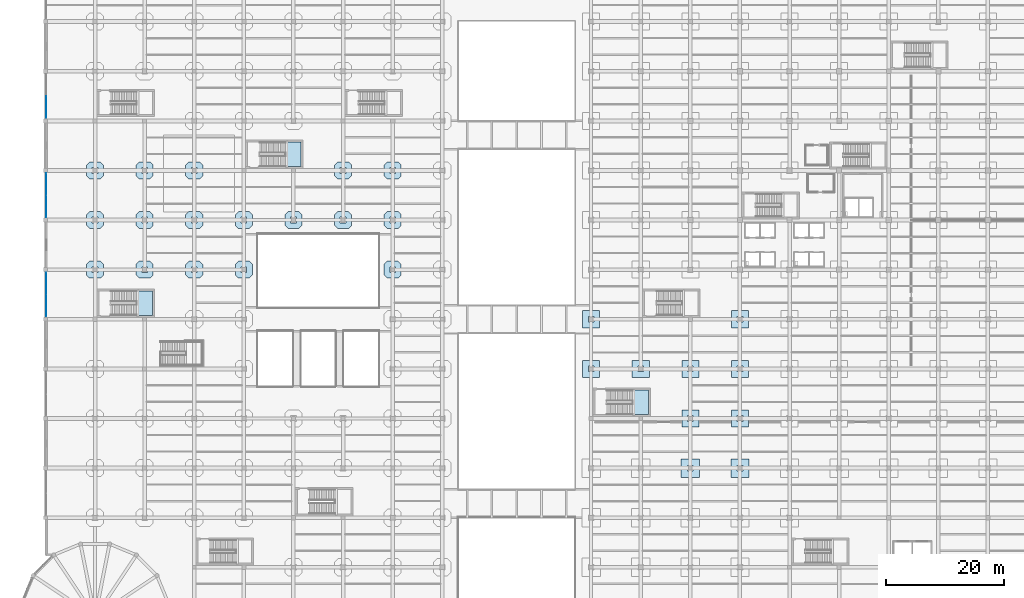
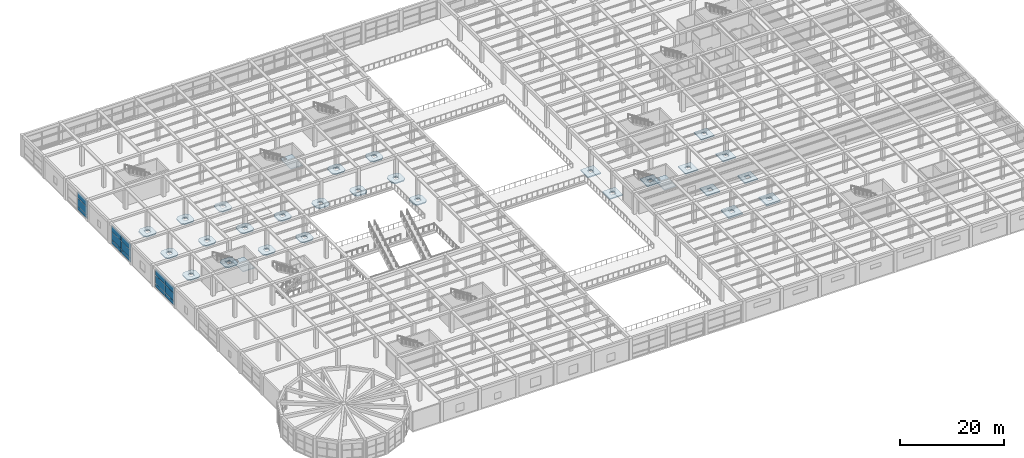
# One storey, part 71 of 96: 30 slabs, 15 plates, 6 elements without a shape of their own.
"""IFC4 building model written with IfcOpenShell, lengths in metres."""

from ifc_helpers import new_model, si_unit, direction, frame, origin, origin_2d, place, context, subcontext, project, spatial, polyline, rectangle, outline, extrude, material, layer, layer_set, type_object, element, aggregate, save


model = new_model("IFC4")

# Units and contexts
model_context = context("Model", 3, precision=1e-05, world=origin(), true_north=direction((0.0, 1.0)))
body_context = subcontext(model_context, "Body", "Model", "MODEL_VIEW")
ifc_project = project(units=[si_unit("LENGTHUNIT", "METRE"), si_unit("AREAUNIT", "SQUARE_METRE"), si_unit("VOLUMEUNIT", "CUBIC_METRE"), si_unit("PLANEANGLEUNIT", "RADIAN"), si_unit("MASSUNIT", "GRAM", prefix="KILO")], contexts=[model_context])

# Site, building, storey
site_placement = place(None, origin())
site = spatial("IfcSite", under=ifc_project, at=site_placement, CompositionType="ELEMENT")
building_placement = place(site_placement, origin())
building = spatial("IfcBuilding", under=site, at=building_placement, Name="Almacenes y Pasaje Nevantli", CompositionType="ELEMENT")
storey_placement = place(building_placement, frame((0.0, 0.0, 6.0)))
storey = spatial("IfcBuildingStorey", under=building, at=storey_placement, Name="L02", CompositionType="ELEMENT", Elevation=6.0)

# Curtain wall, plates
ifc_material_1 = material(Name="Thermally Broken Aluminium and Low-E Glass", Category="aluminium")
curtain_wall_type = type_object("IfcCurtainWallType", Name="CW-UNIT-PODIUM", PredefinedType="USERDEFINED", material=ifc_material_1)
curtain_wall_1_placement = place(storey_placement, origin())
curtain_wall_1 = element("IfcCurtainWall", 1, at=curtain_wall_1_placement, inside=storey, type_object=curtain_wall_type, Name="L02 West Avenue Unitized Curtain Wall Bay 8", ObjectType="UNITIZED CURTAIN WALL", PredefinedType="USERDEFINED")
ifc_material_2 = material(Name="Low-E Double Glazed Insulated Unit", Category="glass")
ifc_layer_1 = layer(ifc_material_2, 0.031982421875)
ifc_layer_set_1 = layer_set([ifc_layer_1], Name="Low-E Double Glazed Insulated Unit")
plate_type = type_object("IfcPlateType", Name="PL-IGU-32", PredefinedType="CURTAIN_PANEL", material=ifc_layer_set_1)
plate_1_placement = place(storey_placement, frame((0.14990234375, 61.138671875, 0.05517578125), z_axis=(0.0, 0.0, 1.0), x_axis=(0.0, 1.0, 0.0)))
plate_1 = element("IfcPlate", 2, at=plate_1_placement, type_object=plate_type, Name="CW-L02-017 panel 1.1", PredefinedType="CURTAIN_PANEL", context=body_context, shape_type="SweptSolid", body=[
    extrude(rectangle(XDim=3.66748046875, YDim=0.031982421875, at=origin_2d()), origin(), (0.0, 0.0, 1.0), 0.867431640625),
])
plate_2_placement = place(storey_placement, frame((0.14990234375, 61.138671875, 0.9775390625), z_axis=(0.0, 0.0, 1.0), x_axis=(0.0, 1.0, 0.0)))
plate_2 = element("IfcPlate", 3, at=plate_2_placement, type_object=plate_type, Name="CW-L02-017 panel 1.2", PredefinedType="CURTAIN_PANEL", context=body_context, shape_type="SweptSolid", body=[
    extrude(rectangle(XDim=3.66748046875, YDim=0.031982421875, at=origin_2d()), origin(), (0.0, 0.0, 1.0), 1.844970703125),
])
plate_3_placement = place(storey_placement, frame((0.14990234375, 61.138671875, 2.87744140625), z_axis=(0.0, 0.0, 1.0), x_axis=(0.0, 1.0, 0.0)))
plate_3 = element("IfcPlate", 4, at=plate_3_placement, type_object=plate_type, Name="CW-L02-017 panel 1.3", PredefinedType="CURTAIN_PANEL", context=body_context, shape_type="SweptSolid", body=[
    extrude(rectangle(XDim=3.66748046875, YDim=0.031982421875, at=origin_2d()), origin(), (0.0, 0.0, 1.0), 1.447509765625),
])
plate_4_placement = place(storey_placement, frame((0.14990234375, 64.861328125, 0.05517578125), z_axis=(0.0, 0.0, 1.0), x_axis=(0.0, 1.0, 0.0)))
plate_4 = element("IfcPlate", 5, at=plate_4_placement, type_object=plate_type, Name="CW-L02-017 panel 2.1", PredefinedType="CURTAIN_PANEL", context=body_context, shape_type="SweptSolid", body=[
    extrude(rectangle(XDim=3.66748046875, YDim=0.031982421875, at=origin_2d()), origin(), (0.0, 0.0, 1.0), 0.867431640625),
])
plate_5_placement = place(storey_placement, frame((0.14990234375, 64.861328125, 0.9775390625), z_axis=(0.0, 0.0, 1.0), x_axis=(0.0, 1.0, 0.0)))
plate_5 = element("IfcPlate", 6, at=plate_5_placement, type_object=plate_type, Name="CW-L02-017 panel 2.2", PredefinedType="CURTAIN_PANEL", context=body_context, shape_type="SweptSolid", body=[
    extrude(rectangle(XDim=3.66748046875, YDim=0.031982421875, at=origin_2d()), origin(), (0.0, 0.0, 1.0), 1.844970703125),
])
plate_6_placement = place(storey_placement, frame((0.14990234375, 64.861328125, 2.87744140625), z_axis=(0.0, 0.0, 1.0), x_axis=(0.0, 1.0, 0.0)))
plate_6 = element("IfcPlate", 7, at=plate_6_placement, type_object=plate_type, Name="CW-L02-017 panel 2.3", PredefinedType="CURTAIN_PANEL", context=body_context, shape_type="SweptSolid", body=[
    extrude(rectangle(XDim=3.66748046875, YDim=0.031982421875, at=origin_2d()), origin(), (0.0, 0.0, 1.0), 1.447509765625),
])
aggregate(curtain_wall_1, [plate_1, plate_2, plate_3, plate_4, plate_5, plate_6])

curtain_wall_2_placement = place(storey_placement, origin())
curtain_wall_2 = element("IfcCurtainWall", 8, at=curtain_wall_2_placement, inside=storey, type_object=curtain_wall_type, Name="L02 West Avenue Unitized Curtain Wall Bay 10", ObjectType="UNITIZED CURTAIN WALL", PredefinedType="USERDEFINED")
plate_7_placement = place(storey_placement, frame((0.14990234375, 77.938720703125, 0.05517578125), z_axis=(0.0, 0.0, 1.0), x_axis=(0.0, 1.0, 0.0)))
plate_7 = element("IfcPlate", 9, at=plate_7_placement, type_object=plate_type, Name="CW-L02-018 panel 1.1", PredefinedType="CURTAIN_PANEL", context=body_context, shape_type="SweptSolid", body=[
    extrude(rectangle(XDim=3.66748046875, YDim=0.031982421875, at=origin_2d()), origin(), (0.0, 0.0, 1.0), 0.867431640625),
])
plate_8_placement = place(storey_placement, frame((0.14990234375, 77.938720703125, 0.9775390625), z_axis=(0.0, 0.0, 1.0), x_axis=(0.0, 1.0, 0.0)))
plate_8 = element("IfcPlate", 10, at=plate_8_placement, type_object=plate_type, Name="CW-L02-018 panel 1.2", PredefinedType="CURTAIN_PANEL", context=body_context, shape_type="SweptSolid", body=[
    extrude(rectangle(XDim=3.66748046875, YDim=0.031982421875, at=origin_2d()), origin(), (0.0, 0.0, 1.0), 1.844970703125),
])
plate_9_placement = place(storey_placement, frame((0.14990234375, 77.938720703125, 2.87744140625), z_axis=(0.0, 0.0, 1.0), x_axis=(0.0, 1.0, 0.0)))
plate_9 = element("IfcPlate", 11, at=plate_9_placement, type_object=plate_type, Name="CW-L02-018 panel 1.3", PredefinedType="CURTAIN_PANEL", context=body_context, shape_type="SweptSolid", body=[
    extrude(rectangle(XDim=3.66748046875, YDim=0.031982421875, at=origin_2d()), origin(), (0.0, 0.0, 1.0), 1.447509765625),
])
plate_10_placement = place(storey_placement, frame((0.14990234375, 81.6611328125, 0.05517578125), z_axis=(0.0, 0.0, 1.0), x_axis=(0.0, 1.0, 0.0)))
plate_10 = element("IfcPlate", 12, at=plate_10_placement, type_object=plate_type, Name="CW-L02-018 panel 2.1", PredefinedType="CURTAIN_PANEL", context=body_context, shape_type="SweptSolid", body=[
    extrude(rectangle(XDim=3.66748046875, YDim=0.031982421875, at=origin_2d()), origin(), (0.0, 0.0, 1.0), 0.867431640625),
])
plate_11_placement = place(storey_placement, frame((0.14990234375, 81.6611328125, 0.9775390625), z_axis=(0.0, 0.0, 1.0), x_axis=(0.0, 1.0, 0.0)))
plate_11 = element("IfcPlate", 13, at=plate_11_placement, type_object=plate_type, Name="CW-L02-018 panel 2.2", PredefinedType="CURTAIN_PANEL", context=body_context, shape_type="SweptSolid", body=[
    extrude(rectangle(XDim=3.66748046875, YDim=0.031982421875, at=origin_2d()), origin(), (0.0, 0.0, 1.0), 1.844970703125),
])
plate_12_placement = place(storey_placement, frame((0.14990234375, 81.6611328125, 2.87744140625), z_axis=(0.0, 0.0, 1.0), x_axis=(0.0, 1.0, 0.0)))
plate_12 = element("IfcPlate", 14, at=plate_12_placement, type_object=plate_type, Name="CW-L02-018 panel 2.3", PredefinedType="CURTAIN_PANEL", context=body_context, shape_type="SweptSolid", body=[
    extrude(rectangle(XDim=3.66748046875, YDim=0.031982421875, at=origin_2d()), origin(), (0.0, 0.0, 1.0), 1.447509765625),
])
aggregate(curtain_wall_2, [plate_7, plate_8, plate_9, plate_10, plate_11, plate_12])

curtain_wall_3_placement = place(storey_placement, origin())
curtain_wall_3 = element("IfcCurtainWall", 15, at=curtain_wall_3_placement, inside=storey, type_object=curtain_wall_type, Name="L02 West Avenue Unitized Curtain Wall Bay 12", ObjectType="UNITIZED CURTAIN WALL", PredefinedType="USERDEFINED")
plate_13_placement = place(storey_placement, frame((0.14990234375, 94.73876953125, 0.05517578125), z_axis=(0.0, 0.0, 1.0), x_axis=(0.0, 1.0, 0.0)))
plate_13 = element("IfcPlate", 16, at=plate_13_placement, type_object=plate_type, Name="CW-L02-019 panel 1.1", PredefinedType="CURTAIN_PANEL", context=body_context, shape_type="SweptSolid", body=[
    extrude(rectangle(XDim=3.66748046875, YDim=0.031982421875, at=origin_2d()), origin(), (0.0, 0.0, 1.0), 0.867431640625),
])
plate_14_placement = place(storey_placement, frame((0.14990234375, 94.73876953125, 0.9775390625), z_axis=(0.0, 0.0, 1.0), x_axis=(0.0, 1.0, 0.0)))
plate_14 = element("IfcPlate", 17, at=plate_14_placement, type_object=plate_type, Name="CW-L02-019 panel 1.2", PredefinedType="CURTAIN_PANEL", context=body_context, shape_type="SweptSolid", body=[
    extrude(rectangle(XDim=3.66748046875, YDim=0.031982421875, at=origin_2d()), origin(), (0.0, 0.0, 1.0), 1.844970703125),
])
plate_15_placement = place(storey_placement, frame((0.14990234375, 94.73876953125, 2.87744140625), z_axis=(0.0, 0.0, 1.0), x_axis=(0.0, 1.0, 0.0)))
plate_15 = element("IfcPlate", 18, at=plate_15_placement, type_object=plate_type, Name="CW-L02-019 panel 1.3", PredefinedType="CURTAIN_PANEL", context=body_context, shape_type="SweptSolid", body=[
    extrude(rectangle(XDim=3.66748046875, YDim=0.031982421875, at=origin_2d()), origin(), (0.0, 0.0, 1.0), 1.447509765625),
])
aggregate(curtain_wall_3, [plate_13, plate_14, plate_15])

# Slabs
ifc_material_3 = material(Name="Concrete C35/45", Category="concrete")
ifc_layer_2 = layer(ifc_material_3, 0.25)
ifc_layer_set_2 = layer_set([ifc_layer_2], Name="Concrete C35/45")
slab_type_1 = type_object("IfcSlabType", Name="SLB-DP-250", PredefinedType="USERDEFINED", material=ifc_layer_set_2)
slab_1_placement = place(storey_placement, frame((0.0, 0.0, -0.550048828125)))
element("IfcSlab", 19, at=slab_1_placement, inside=storey, type_object=slab_type_1, Name="L02 Punching-Shear Drop Panel DP-02 #404", ObjectType="DROP PANEL", PredefinedType="USERDEFINED", context=body_context, shape_type="SweptSolid", body=[
    extrude(outline(polyline([(7.5, 65.75), (9.300048828125, 65.75), (9.85009765625, 66.300048828125), (9.85009765625, 68.10009765625), (9.300048828125, 68.64990234375), (7.5, 68.64990234375), (6.949951171875, 68.10009765625), (6.949951171875, 66.300048828125), (7.5, 65.75)]), holes=[polyline([(7.919921875, 66.719970703125), (8.8798828125, 66.719970703125), (8.8798828125, 67.679931640625), (7.919921875, 67.679931640625), (7.919921875, 66.719970703125)])]), origin(), (0.0, 0.0, 1.0), 0.25),
])
slab_2_placement = place(storey_placement, frame((0.0, 0.0, -0.550048828125)))
element("IfcSlab", 20, at=slab_2_placement, inside=storey, type_object=slab_type_1, Name="L02 Punching-Shear Drop Panel DP-02 #405", ObjectType="DROP PANEL", PredefinedType="USERDEFINED", context=body_context, shape_type="SweptSolid", body=[
    extrude(outline(polyline([(7.5, 74.14990234375), (9.300048828125, 74.14990234375), (9.85009765625, 74.699951171875), (9.85009765625, 76.5), (9.300048828125, 77.050048828125), (7.5, 77.050048828125), (6.949951171875, 76.5), (6.949951171875, 74.699951171875), (7.5, 74.14990234375)]), holes=[polyline([(7.919921875, 75.1201171875), (8.8798828125, 75.1201171875), (8.8798828125, 76.080078125), (7.919921875, 76.080078125), (7.919921875, 75.1201171875)])]), origin(), (0.0, 0.0, 1.0), 0.25),
])
slab_3_placement = place(storey_placement, frame((0.0, 0.0, -0.550048828125)))
element("IfcSlab", 21, at=slab_3_placement, inside=storey, type_object=slab_type_1, Name="L02 Punching-Shear Drop Panel DP-02 #406", ObjectType="DROP PANEL", PredefinedType="USERDEFINED", context=body_context, shape_type="SweptSolid", body=[
    extrude(outline(polyline([(7.5, 82.550048828125), (9.300048828125, 82.550048828125), (9.85009765625, 83.10009765625), (9.85009765625, 84.89990234375), (9.300048828125, 85.449951171875), (7.5, 85.449951171875), (6.949951171875, 84.89990234375), (6.949951171875, 83.10009765625), (7.5, 82.550048828125)]), holes=[polyline([(7.919921875, 83.52001953125), (8.8798828125, 83.52001953125), (8.8798828125, 84.47998046875), (7.919921875, 84.47998046875), (7.919921875, 83.52001953125)])]), origin(), (0.0, 0.0, 1.0), 0.25),
])
slab_4_placement = place(storey_placement, frame((0.0, 0.0, -0.550048828125)))
element("IfcSlab", 22, at=slab_4_placement, inside=storey, type_object=slab_type_1, Name="L02 Punching-Shear Drop Panel DP-02 #412", ObjectType="DROP PANEL", PredefinedType="USERDEFINED", context=body_context, shape_type="SweptSolid", body=[
    extrude(outline(polyline([(15.89990234375, 65.75), (17.699951171875, 65.75), (18.25, 66.300048828125), (18.25, 68.10009765625), (17.699951171875, 68.64990234375), (15.89990234375, 68.64990234375), (15.35009765625, 68.10009765625), (15.35009765625, 66.300048828125), (15.89990234375, 65.75)]), holes=[polyline([(16.320068359375, 66.719970703125), (17.280029296875, 66.719970703125), (17.280029296875, 67.679931640625), (16.320068359375, 67.679931640625), (16.320068359375, 66.719970703125)])]), origin(), (0.0, 0.0, 1.0), 0.25),
])
slab_5_placement = place(storey_placement, frame((0.0, 0.0, -0.550048828125)))
element("IfcSlab", 23, at=slab_5_placement, inside=storey, type_object=slab_type_1, Name="L02 Punching-Shear Drop Panel DP-02 #413", ObjectType="DROP PANEL", PredefinedType="USERDEFINED", context=body_context, shape_type="SweptSolid", body=[
    extrude(outline(polyline([(15.89990234375, 74.14990234375), (17.699951171875, 74.14990234375), (18.25, 74.699951171875), (18.25, 76.5), (17.699951171875, 77.050048828125), (15.89990234375, 77.050048828125), (15.35009765625, 76.5), (15.35009765625, 74.699951171875), (15.89990234375, 74.14990234375)]), holes=[polyline([(16.320068359375, 75.1201171875), (17.280029296875, 75.1201171875), (17.280029296875, 76.080078125), (16.320068359375, 76.080078125), (16.320068359375, 75.1201171875)])]), origin(), (0.0, 0.0, 1.0), 0.25),
])
slab_6_placement = place(storey_placement, frame((0.0, 0.0, -0.550048828125)))
element("IfcSlab", 24, at=slab_6_placement, inside=storey, type_object=slab_type_1, Name="L02 Punching-Shear Drop Panel DP-02 #414", ObjectType="DROP PANEL", PredefinedType="USERDEFINED", context=body_context, shape_type="SweptSolid", body=[
    extrude(outline(polyline([(15.89990234375, 82.550048828125), (17.699951171875, 82.550048828125), (18.25, 83.10009765625), (18.25, 84.89990234375), (17.699951171875, 85.449951171875), (15.89990234375, 85.449951171875), (15.35009765625, 84.89990234375), (15.35009765625, 83.10009765625), (15.89990234375, 82.550048828125)]), holes=[polyline([(16.320068359375, 83.52001953125), (17.280029296875, 83.52001953125), (17.280029296875, 84.47998046875), (16.320068359375, 84.47998046875), (16.320068359375, 83.52001953125)])]), origin(), (0.0, 0.0, 1.0), 0.25),
])
slab_7_placement = place(storey_placement, frame((0.0, 0.0, -0.550048828125)))
element("IfcSlab", 25, at=slab_7_placement, inside=storey, type_object=slab_type_1, Name="L02 Punching-Shear Drop Panel DP-02 #422", ObjectType="DROP PANEL", PredefinedType="USERDEFINED", context=body_context, shape_type="SweptSolid", body=[
    extrude(outline(polyline([(24.300048828125, 65.75), (26.10009765625, 65.75), (26.64990234375, 66.300048828125), (26.64990234375, 68.10009765625), (26.10009765625, 68.64990234375), (24.300048828125, 68.64990234375), (23.75, 68.10009765625), (23.75, 66.300048828125), (24.300048828125, 65.75)]), holes=[polyline([(24.719970703125, 66.719970703125), (25.679931640625, 66.719970703125), (25.679931640625, 67.679931640625), (24.719970703125, 67.679931640625), (24.719970703125, 66.719970703125)])]), origin(), (0.0, 0.0, 1.0), 0.25),
])
slab_8_placement = place(storey_placement, frame((0.0, 0.0, -0.550048828125)))
element("IfcSlab", 26, at=slab_8_placement, inside=storey, type_object=slab_type_1, Name="L02 Punching-Shear Drop Panel DP-02 #423", ObjectType="DROP PANEL", PredefinedType="USERDEFINED", context=body_context, shape_type="SweptSolid", body=[
    extrude(outline(polyline([(24.300048828125, 74.14990234375), (26.10009765625, 74.14990234375), (26.64990234375, 74.699951171875), (26.64990234375, 76.5), (26.10009765625, 77.050048828125), (24.300048828125, 77.050048828125), (23.75, 76.5), (23.75, 74.699951171875), (24.300048828125, 74.14990234375)]), holes=[polyline([(24.719970703125, 75.1201171875), (25.679931640625, 75.1201171875), (25.679931640625, 76.080078125), (24.719970703125, 76.080078125), (24.719970703125, 75.1201171875)])]), origin(), (0.0, 0.0, 1.0), 0.25),
])
slab_9_placement = place(storey_placement, frame((0.0, 0.0, -0.550048828125)))
element("IfcSlab", 27, at=slab_9_placement, inside=storey, type_object=slab_type_1, Name="L02 Punching-Shear Drop Panel DP-02 #424", ObjectType="DROP PANEL", PredefinedType="USERDEFINED", context=body_context, shape_type="SweptSolid", body=[
    extrude(outline(polyline([(24.300048828125, 82.550048828125), (26.10009765625, 82.550048828125), (26.64990234375, 83.10009765625), (26.64990234375, 84.89990234375), (26.10009765625, 85.449951171875), (24.300048828125, 85.449951171875), (23.75, 84.89990234375), (23.75, 83.10009765625), (24.300048828125, 82.550048828125)]), holes=[polyline([(24.719970703125, 83.52001953125), (25.679931640625, 83.52001953125), (25.679931640625, 84.47998046875), (24.719970703125, 84.47998046875), (24.719970703125, 83.52001953125)])]), origin(), (0.0, 0.0, 1.0), 0.25),
])
slab_10_placement = place(storey_placement, frame((0.0, 0.0, -0.550048828125)))
element("IfcSlab", 28, at=slab_10_placement, inside=storey, type_object=slab_type_1, Name="L02 Punching-Shear Drop Panel DP-02 #434", ObjectType="DROP PANEL", PredefinedType="USERDEFINED", context=body_context, shape_type="SweptSolid", body=[
    extrude(outline(polyline([(32.699951171875, 65.75), (34.5, 65.75), (35.050048828125, 66.300048828125), (35.050048828125, 68.10009765625), (34.5, 68.64990234375), (32.699951171875, 68.64990234375), (32.14990234375, 68.10009765625), (32.14990234375, 66.300048828125), (32.699951171875, 65.75)]), holes=[polyline([(33.1201171875, 66.719970703125), (34.080078125, 66.719970703125), (34.080078125, 67.679931640625), (33.1201171875, 67.679931640625), (33.1201171875, 66.719970703125)])]), origin(), (0.0, 0.0, 1.0), 0.25),
])
slab_11_placement = place(storey_placement, frame((0.0, 0.0, -0.550048828125)))
element("IfcSlab", 29, at=slab_11_placement, inside=storey, type_object=slab_type_1, Name="L02 Punching-Shear Drop Panel DP-02 #435", ObjectType="DROP PANEL", PredefinedType="USERDEFINED", context=body_context, shape_type="SweptSolid", body=[
    extrude(outline(polyline([(32.699951171875, 74.14990234375), (34.5, 74.14990234375), (35.050048828125, 74.699951171875), (35.050048828125, 76.5), (34.5, 77.050048828125), (32.699951171875, 77.050048828125), (32.14990234375, 76.5), (32.14990234375, 74.699951171875), (32.699951171875, 74.14990234375)]), holes=[polyline([(33.1201171875, 75.1201171875), (34.080078125, 75.1201171875), (34.080078125, 76.080078125), (33.1201171875, 76.080078125), (33.1201171875, 75.1201171875)])]), origin(), (0.0, 0.0, 1.0), 0.25),
])
slab_12_placement = place(storey_placement, frame((0.0, 0.0, -0.550048828125)))
element("IfcSlab", 30, at=slab_12_placement, inside=storey, type_object=slab_type_1, Name="L02 Punching-Shear Drop Panel DP-02 #443", ObjectType="DROP PANEL", PredefinedType="USERDEFINED", context=body_context, shape_type="SweptSolid", body=[
    extrude(outline(polyline([(41.10009765625, 74.14990234375), (42.89990234375, 74.14990234375), (43.449951171875, 74.699951171875), (43.449951171875, 76.5), (42.89990234375, 77.050048828125), (41.10009765625, 77.050048828125), (40.550048828125, 76.5), (40.550048828125, 74.699951171875), (41.10009765625, 74.14990234375)]), holes=[polyline([(41.52001953125, 75.1201171875), (42.47998046875, 75.1201171875), (42.47998046875, 76.080078125), (41.52001953125, 76.080078125), (41.52001953125, 75.1201171875)])]), origin(), (0.0, 0.0, 1.0), 0.25),
])
slab_13_placement = place(storey_placement, frame((0.0, 0.0, -0.550048828125)))
element("IfcSlab", 31, at=slab_13_placement, inside=storey, type_object=slab_type_1, Name="L02 Punching-Shear Drop Panel DP-02 #451", ObjectType="DROP PANEL", PredefinedType="USERDEFINED", context=body_context, shape_type="SweptSolid", body=[
    extrude(outline(polyline([(49.5, 74.14990234375), (51.300048828125, 74.14990234375), (51.85009765625, 74.699951171875), (51.85009765625, 76.5), (51.300048828125, 77.050048828125), (49.5, 77.050048828125), (48.949951171875, 76.5), (48.949951171875, 74.699951171875), (49.5, 74.14990234375)]), holes=[polyline([(49.919921875, 75.1201171875), (50.8798828125, 75.1201171875), (50.8798828125, 76.080078125), (49.919921875, 76.080078125), (49.919921875, 75.1201171875)])]), origin(), (0.0, 0.0, 1.0), 0.25),
])
slab_14_placement = place(storey_placement, frame((0.0, 0.0, -0.550048828125)))
element("IfcSlab", 32, at=slab_14_placement, inside=storey, type_object=slab_type_1, Name="L02 Punching-Shear Drop Panel DP-02 #452", ObjectType="DROP PANEL", PredefinedType="USERDEFINED", context=body_context, shape_type="SweptSolid", body=[
    extrude(outline(polyline([(49.5, 82.550048828125), (51.300048828125, 82.550048828125), (51.85009765625, 83.10009765625), (51.85009765625, 84.89990234375), (51.300048828125, 85.449951171875), (49.5, 85.449951171875), (48.949951171875, 84.89990234375), (48.949951171875, 83.10009765625), (49.5, 82.550048828125)]), holes=[polyline([(49.919921875, 83.52001953125), (50.8798828125, 83.52001953125), (50.8798828125, 84.47998046875), (49.919921875, 84.47998046875), (49.919921875, 83.52001953125)])]), origin(), (0.0, 0.0, 1.0), 0.25),
])
slab_15_placement = place(storey_placement, frame((0.0, 0.0, -0.550048828125)))
element("IfcSlab", 33, at=slab_15_placement, inside=storey, type_object=slab_type_1, Name="L02 Punching-Shear Drop Panel DP-02 #462", ObjectType="DROP PANEL", PredefinedType="USERDEFINED", context=body_context, shape_type="SweptSolid", body=[
    extrude(outline(polyline([(57.89990234375, 65.75), (59.699951171875, 65.75), (60.25, 66.300048828125), (60.25, 68.10009765625), (59.699951171875, 68.64990234375), (57.89990234375, 68.64990234375), (57.35009765625, 68.10009765625), (57.35009765625, 66.300048828125), (57.89990234375, 65.75)]), holes=[polyline([(58.320068359375, 66.719970703125), (59.280029296875, 66.719970703125), (59.280029296875, 67.679931640625), (58.320068359375, 67.679931640625), (58.320068359375, 66.719970703125)])]), origin(), (0.0, 0.0, 1.0), 0.25),
])
slab_16_placement = place(storey_placement, frame((0.0, 0.0, -0.550048828125)))
element("IfcSlab", 34, at=slab_16_placement, inside=storey, type_object=slab_type_1, Name="L02 Punching-Shear Drop Panel DP-02 #463", ObjectType="DROP PANEL", PredefinedType="USERDEFINED", context=body_context, shape_type="SweptSolid", body=[
    extrude(outline(polyline([(57.89990234375, 74.14990234375), (59.699951171875, 74.14990234375), (60.25, 74.699951171875), (60.25, 76.5), (59.699951171875, 77.050048828125), (57.89990234375, 77.050048828125), (57.35009765625, 76.5), (57.35009765625, 74.699951171875), (57.89990234375, 74.14990234375)]), holes=[polyline([(58.320068359375, 75.1201171875), (59.280029296875, 75.1201171875), (59.280029296875, 76.080078125), (58.320068359375, 76.080078125), (58.320068359375, 75.1201171875)])]), origin(), (0.0, 0.0, 1.0), 0.25),
])
slab_17_placement = place(storey_placement, frame((0.0, 0.0, -0.550048828125)))
element("IfcSlab", 35, at=slab_17_placement, inside=storey, type_object=slab_type_1, Name="L02 Punching-Shear Drop Panel DP-02 #464", ObjectType="DROP PANEL", PredefinedType="USERDEFINED", context=body_context, shape_type="SweptSolid", body=[
    extrude(outline(polyline([(57.89990234375, 82.550048828125), (59.699951171875, 82.550048828125), (60.25, 83.10009765625), (60.25, 84.89990234375), (59.699951171875, 85.449951171875), (57.89990234375, 85.449951171875), (57.35009765625, 84.89990234375), (57.35009765625, 83.10009765625), (57.89990234375, 82.550048828125)]), holes=[polyline([(58.320068359375, 83.52001953125), (59.280029296875, 83.52001953125), (59.280029296875, 84.47998046875), (58.320068359375, 84.47998046875), (58.320068359375, 83.52001953125)])]), origin(), (0.0, 0.0, 1.0), 0.25),
])
slab_18_placement = place(storey_placement, frame((0.0, 0.0, -0.550048828125)))
element("IfcSlab", 36, at=slab_18_placement, inside=storey, type_object=slab_type_1, Name="L02 Punching-Shear Drop Panel DP-02 #484", ObjectType="DROP PANEL", PredefinedType="USERDEFINED", context=body_context, shape_type="SweptSolid", body=[
    extrude(outline(polyline([(90.949951171875, 48.949951171875), (93.85009765625, 48.949951171875), (93.85009765625, 51.85009765625), (90.949951171875, 51.85009765625), (90.949951171875, 48.949951171875)]), holes=[polyline([(91.919921875, 49.919921875), (92.8798828125, 49.919921875), (92.8798828125, 50.8798828125), (91.919921875, 50.8798828125), (91.919921875, 49.919921875)])]), origin(), (0.0, 0.0, 1.0), 0.25),
])
slab_19_placement = place(storey_placement, frame((0.0, 0.0, -0.550048828125)))
element("IfcSlab", 37, at=slab_19_placement, inside=storey, type_object=slab_type_1, Name="L02 Punching-Shear Drop Panel DP-02 #485", ObjectType="DROP PANEL", PredefinedType="USERDEFINED", context=body_context, shape_type="SweptSolid", body=[
    extrude(outline(polyline([(90.949951171875, 57.35009765625), (93.85009765625, 57.35009765625), (93.85009765625, 60.25), (90.949951171875, 60.25), (90.949951171875, 57.35009765625)]), holes=[polyline([(91.919921875, 58.320068359375), (92.8798828125, 58.320068359375), (92.8798828125, 59.280029296875), (91.919921875, 59.280029296875), (91.919921875, 58.320068359375)])]), origin(), (0.0, 0.0, 1.0), 0.25),
])
slab_20_placement = place(storey_placement, frame((0.0, 0.0, -0.550048828125)))
element("IfcSlab", 38, at=slab_20_placement, inside=storey, type_object=slab_type_1, Name="L02 Punching-Shear Drop Panel DP-02 #496", ObjectType="DROP PANEL", PredefinedType="USERDEFINED", context=body_context, shape_type="SweptSolid", body=[
    extrude(outline(polyline([(99.35009765625, 48.949951171875), (102.25, 48.949951171875), (102.25, 51.85009765625), (99.35009765625, 51.85009765625), (99.35009765625, 48.949951171875)]), holes=[polyline([(100.320068359375, 49.919921875), (101.280029296875, 49.919921875), (101.280029296875, 50.8798828125), (100.320068359375, 50.8798828125), (100.320068359375, 49.919921875)])]), origin(), (0.0, 0.0, 1.0), 0.25),
])
slab_21_placement = place(storey_placement, frame((0.0, 0.0, -0.550048828125)))
element("IfcSlab", 39, at=slab_21_placement, inside=storey, type_object=slab_type_1, Name="L02 Punching-Shear Drop Panel DP-02 #507", ObjectType="DROP PANEL", PredefinedType="USERDEFINED", context=body_context, shape_type="SweptSolid", body=[
    extrude(outline(polyline([(107.75, 40.550048828125), (110.64990234375, 40.550048828125), (110.64990234375, 43.449951171875), (107.75, 43.449951171875), (107.75, 40.550048828125)]), holes=[polyline([(108.719970703125, 41.52001953125), (109.679931640625, 41.52001953125), (109.679931640625, 42.47998046875), (108.719970703125, 42.47998046875), (108.719970703125, 41.52001953125)])]), origin(), (0.0, 0.0, 1.0), 0.25),
])
slab_22_placement = place(storey_placement, frame((0.0, 0.0, -0.550048828125)))
element("IfcSlab", 40, at=slab_22_placement, inside=storey, type_object=slab_type_1, Name="L02 Punching-Shear Drop Panel DP-02 #508", ObjectType="DROP PANEL", PredefinedType="USERDEFINED", context=body_context, shape_type="SweptSolid", body=[
    extrude(outline(polyline([(107.75, 48.949951171875), (110.64990234375, 48.949951171875), (110.64990234375, 51.85009765625), (107.75, 51.85009765625), (107.75, 48.949951171875)]), holes=[polyline([(108.719970703125, 49.919921875), (109.679931640625, 49.919921875), (109.679931640625, 50.8798828125), (108.719970703125, 50.8798828125), (108.719970703125, 49.919921875)])]), origin(), (0.0, 0.0, 1.0), 0.25),
])
slab_23_placement = place(storey_placement, frame((0.0, 0.0, -0.550048828125)))
element("IfcSlab", 41, at=slab_23_placement, inside=storey, type_object=slab_type_1, Name="L02 Punching-Shear Drop Panel DP-02 #519", ObjectType="DROP PANEL", PredefinedType="USERDEFINED", context=body_context, shape_type="SweptSolid", body=[
    extrude(outline(polyline([(116.14990234375, 40.550048828125), (119.050048828125, 40.550048828125), (119.050048828125, 43.449951171875), (116.14990234375, 43.449951171875), (116.14990234375, 40.550048828125)]), holes=[polyline([(117.1201171875, 41.52001953125), (118.080078125, 41.52001953125), (118.080078125, 42.47998046875), (117.1201171875, 42.47998046875), (117.1201171875, 41.52001953125)])]), origin(), (0.0, 0.0, 1.0), 0.25),
])
slab_24_placement = place(storey_placement, frame((0.0, 0.0, -0.550048828125)))
element("IfcSlab", 42, at=slab_24_placement, inside=storey, type_object=slab_type_1, Name="L02 Punching-Shear Drop Panel DP-02 #520", ObjectType="DROP PANEL", PredefinedType="USERDEFINED", context=body_context, shape_type="SweptSolid", body=[
    extrude(outline(polyline([(116.14990234375, 48.949951171875), (119.050048828125, 48.949951171875), (119.050048828125, 51.85009765625), (116.14990234375, 51.85009765625), (116.14990234375, 48.949951171875)]), holes=[polyline([(117.1201171875, 49.919921875), (118.080078125, 49.919921875), (118.080078125, 50.8798828125), (117.1201171875, 50.8798828125), (117.1201171875, 49.919921875)])]), origin(), (0.0, 0.0, 1.0), 0.25),
])
slab_25_placement = place(storey_placement, frame((0.0, 0.0, -0.550048828125)))
element("IfcSlab", 43, at=slab_25_placement, inside=storey, type_object=slab_type_1, Name="L02 Punching-Shear Drop Panel DP-02 #521", ObjectType="DROP PANEL", PredefinedType="USERDEFINED", context=body_context, shape_type="SweptSolid", body=[
    extrude(outline(polyline([(116.14990234375, 57.35009765625), (119.050048828125, 57.35009765625), (119.050048828125, 60.25), (116.14990234375, 60.25), (116.14990234375, 57.35009765625)]), holes=[polyline([(117.1201171875, 58.320068359375), (118.080078125, 58.320068359375), (118.080078125, 59.280029296875), (117.1201171875, 59.280029296875), (117.1201171875, 58.320068359375)])]), origin(), (0.0, 0.0, 1.0), 0.25),
])
ifc_material_4 = material(Name="Concrete C35/45", Category="concrete")
ifc_layer_3 = layer(ifc_material_4, 0.31005859375)
ifc_layer_set_3 = layer_set([ifc_layer_3], Name="Concrete C35/45")
slab_type_2 = type_object("IfcSlabType", Name="SLB-DP-310", PredefinedType="USERDEFINED", material=ifc_layer_set_3)
slab_26_placement = place(storey_placement, frame((0.0, 0.0, -0.610107421875)))
element("IfcSlab", 44, at=slab_26_placement, inside=storey, type_object=slab_type_2, Name="L02 Punching-Shear Drop Panel DP-03 #506", ObjectType="DROP PANEL", PredefinedType="USERDEFINED", context=body_context, shape_type="SweptSolid", body=[
    extrude(outline(polyline([(107.64990234375, 32.050048828125), (110.75, 32.050048828125), (110.75, 35.14990234375), (107.64990234375, 35.14990234375), (107.64990234375, 32.050048828125)]), holes=[polyline([(108.719970703125, 33.1201171875), (109.679931640625, 33.1201171875), (109.679931640625, 34.080078125), (108.719970703125, 34.080078125), (108.719970703125, 33.1201171875)])]), origin(), (0.0, 0.0, 1.0), 0.31005859375),
])
slab_27_placement = place(storey_placement, frame((0.0, 0.0, -0.610107421875)))
element("IfcSlab", 45, at=slab_27_placement, inside=storey, type_object=slab_type_2, Name="L02 Punching-Shear Drop Panel DP-03 #518", ObjectType="DROP PANEL", PredefinedType="USERDEFINED", context=body_context, shape_type="SweptSolid", body=[
    extrude(outline(polyline([(116.050048828125, 32.050048828125), (119.14990234375, 32.050048828125), (119.14990234375, 35.14990234375), (116.050048828125, 35.14990234375), (116.050048828125, 32.050048828125)]), holes=[polyline([(117.1201171875, 33.1201171875), (118.080078125, 33.1201171875), (118.080078125, 34.080078125), (117.1201171875, 34.080078125), (117.1201171875, 33.1201171875)])]), origin(), (0.0, 0.0, 1.0), 0.31005859375),
])

# Stair, slab
ifc_material_5 = material(Name="Concrete C35/45", Category="concrete")
stair_type = type_object("IfcStairType", Name="STR-CORE-1850", PredefinedType="HALF_TURN_STAIR", material=ifc_material_5)
stair_1_placement = place(storey_placement, origin())
stair_1 = element("IfcStair", 46, at=stair_1_placement, inside=storey, type_object=stair_type, Name="L02 Staircase ST-08", PredefinedType="HALF_TURN_STAIR")
ifc_material_6 = material(Name="Concrete C35/45", Category="concrete")
ifc_layer_4 = layer(ifc_material_6, 0.199951171875)
ifc_layer_set_4 = layer_set([ifc_layer_4], Name="Concrete C35/45")
slab_type_3 = type_object("IfcSlabType", Name="SLB-LAND-200", PredefinedType="LANDING", material=ifc_layer_set_4)
slab_28_placement = place(storey_placement, frame((0.0, 0.0, 2.5)))
slab_28 = element("IfcSlab", 47, at=slab_28_placement, type_object=slab_type_3, Name="ST-08-L02 landing 1", PredefinedType="LANDING", context=body_context, shape_type="SweptSolid", body=[
    extrude(outline(polyline([(99.43505859375, 42.64990234375), (102.10009765625, 42.64990234375), (102.10009765625, 46.800048828125), (99.43505859375, 46.800048828125), (99.43505859375, 42.64990234375)])), origin(), (0.0, 0.0, 1.0), 0.199951171875),
])
aggregate(stair_1, [slab_28])

stair_2_placement = place(storey_placement, origin())
stair_2 = element("IfcStair", 48, at=stair_2_placement, inside=storey, type_object=stair_type, Name="L02 Staircase ST-12", PredefinedType="HALF_TURN_STAIR")
slab_29_placement = place(storey_placement, frame((0.0, 0.0, 2.5)))
slab_29 = element("IfcSlab", 49, at=slab_29_placement, type_object=slab_type_3, Name="ST-12-L02 landing 1", PredefinedType="LANDING", context=body_context, shape_type="SweptSolid", body=[
    extrude(outline(polyline([(15.43505859375, 59.449951171875), (18.10009765625, 59.449951171875), (18.10009765625, 63.60009765625), (15.43505859375, 63.60009765625), (15.43505859375, 59.449951171875)])), origin(), (0.0, 0.0, 1.0), 0.199951171875),
])
aggregate(stair_2, [slab_29])

stair_3_placement = place(storey_placement, origin())
stair_3 = element("IfcStair", 50, at=stair_3_placement, inside=storey, type_object=stair_type, Name="L02 Staircase ST-15", PredefinedType="HALF_TURN_STAIR")
slab_30_placement = place(storey_placement, frame((0.0, 0.0, 2.5)))
slab_30 = element("IfcSlab", 51, at=slab_30_placement, type_object=slab_type_3, Name="ST-15-L02 landing 1", PredefinedType="LANDING", context=body_context, shape_type="SweptSolid", body=[
    extrude(outline(polyline([(40.635009765625, 84.64990234375), (43.300048828125, 84.64990234375), (43.300048828125, 88.800048828125), (40.635009765625, 88.800048828125), (40.635009765625, 84.64990234375)])), origin(), (0.0, 0.0, 1.0), 0.199951171875),
])
aggregate(stair_3, [slab_30])

save(model, "model.ifc")
